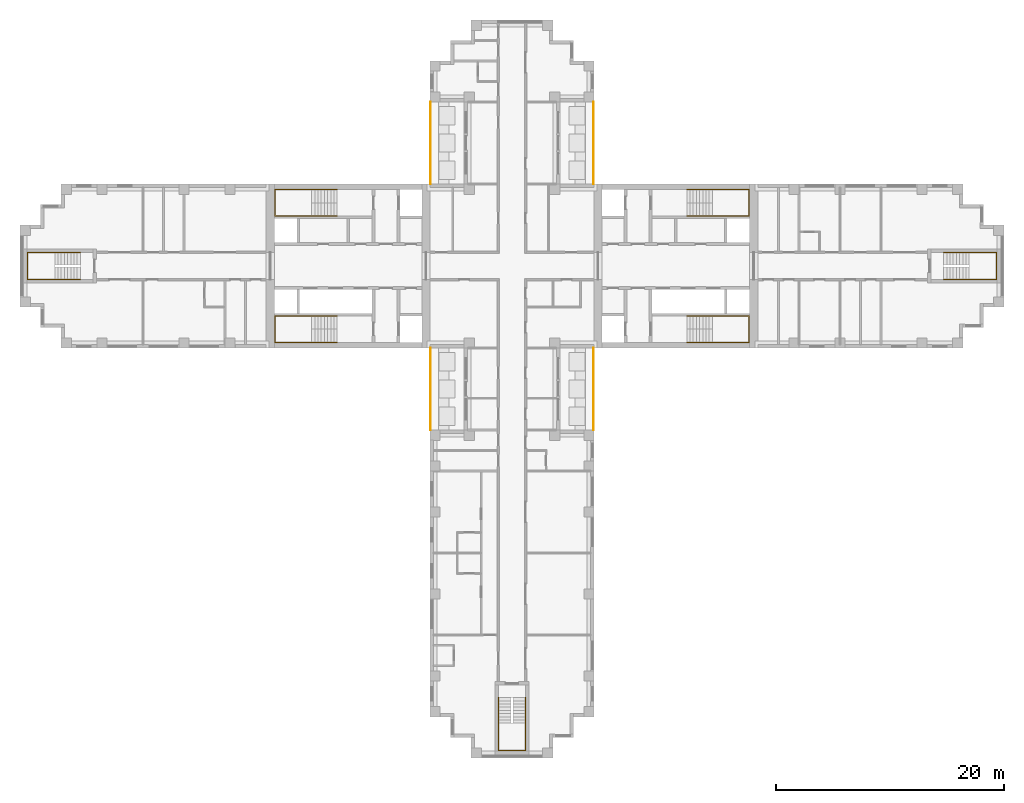
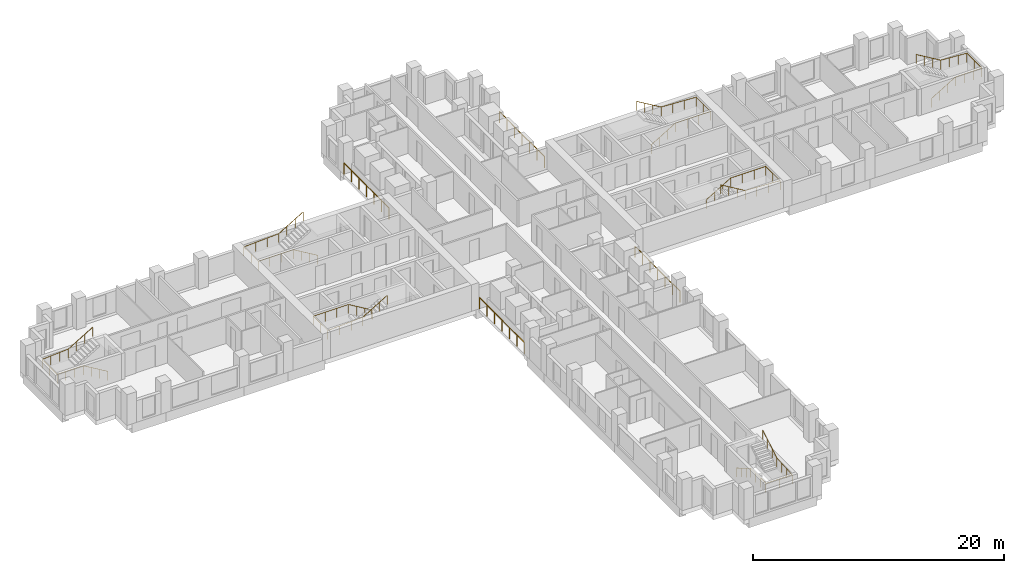
# One storey, part 12 of 13: 11 railings.
"""IFC4 building model written with IfcOpenShell, lengths in metres."""

from ifc_helpers import new_model, si_unit, direction, frame, origin, origin_2d, place, context, subcontext, project, spatial, circle, extrude, material, type_object, element, save


model = new_model("IFC4")

# Units and contexts
model_context = context("Model", 3, precision=1e-05, world=origin(), true_north=direction((0.0, 1.0)))
body_context = subcontext(model_context, "Body", "Model", "MODEL_VIEW")
ifc_project = project(units=[si_unit("LENGTHUNIT", "METRE"), si_unit("AREAUNIT", "SQUARE_METRE"), si_unit("VOLUMEUNIT", "CUBIC_METRE"), si_unit("PLANEANGLEUNIT", "RADIAN"), si_unit("MASSUNIT", "GRAM", prefix="KILO")], contexts=[model_context])

# Site, building, storey
site_placement = place(None, origin())
site = spatial("IfcSite", under=ifc_project, at=site_placement, CompositionType="ELEMENT")
building_placement = place(site_placement, origin())
building = spatial("IfcBuilding", under=site, at=building_placement, Name="Fustian Cross Tower", CompositionType="ELEMENT")
storey_placement = place(building_placement, frame((0.0, 0.0, 81.89990234375)))
storey = spatial("IfcBuildingStorey", under=building, at=storey_placement, Name="L25", CompositionType="ELEMENT", Elevation=81.89990234375)

# Railings
ifc_material_1 = material(Name="Stainless steel and glass", Category="steel")
railing_type_1 = type_object("IfcRailingType", Name="GR1 BALCONY GUARD 1100", PredefinedType="GUARDRAIL", material=ifc_material_1)
for number, where, name in (
    (1, (7.14990234375, 7.199951171875, 0.0), "Balcony guard"),
    (2, (-7.14990234375, 7.199951171875, 0.0), "Balcony guard"),
    (3, (7.14990234375, -14.39990234375, 0.0), "Balcony guard"),
    (4, (-7.14990234375, -14.39990234375, 0.0), "Balcony guard"),
):
    element("IfcRailing", number, at=place(storey_placement, frame(where)), inside=storey, type_object=railing_type_1, Name=name, PredefinedType="GUARDRAIL", context=body_context, shape_type="SweptSolid", body=[
        extrude(circle(Radius=0.02392578125, at=origin_2d()), frame((0.0, 0.0, 1.076171875), z_axis=(0.0, 1.0, 0.0), x_axis=(-1.0, 0.0, 0.0)), (0.0, 0.0, 1.0), 7.199951171875),
        extrude(circle(Radius=0.02099609375, at=origin_2d()), origin(), (0.0, 0.0, 1.0), 1.052001953125),
        extrude(circle(Radius=0.02099609375, at=origin_2d()), frame((0.0, 1.199951171875, 0.0)), (0.0, 0.0, 1.0), 1.052001953125),
        extrude(circle(Radius=0.02099609375, at=origin_2d()), frame((0.0, 2.39990234375, 0.0)), (0.0, 0.0, 1.0), 1.052001953125),
        extrude(circle(Radius=0.02099609375, at=origin_2d()), frame((0.0, 3.60009765625, 0.0)), (0.0, 0.0, 1.0), 1.052001953125),
        extrude(circle(Radius=0.02099609375, at=origin_2d()), frame((0.0, 4.800048828125, 0.0)), (0.0, 0.0, 1.0), 1.052001953125),
        extrude(circle(Radius=0.02099609375, at=origin_2d()), frame((0.0, 6.0, 0.0)), (0.0, 0.0, 1.0), 1.052001953125),
        extrude(circle(Radius=0.02099609375, at=origin_2d()), frame((0.0, 7.199951171875, 0.0)), (0.0, 0.0, 1.0), 1.052001953125),
    ])
ifc_material_2 = material(Name="Stainless steel", Category="steel")
railing_type_2 = type_object("IfcRailingType", Name="STAIR HANDRAIL", PredefinedType="HANDRAIL", material=ifc_material_2)
railing_1_placement = place(storey_placement, frame((15.35009765625, 4.39990234375, 0.166748046875)))
element("IfcRailing", 5, at=railing_1_placement, inside=storey, type_object=railing_type_2, Name="Stair ST1 handrail 1", PredefinedType="HANDRAIL", context=body_context, shape_type="SweptSolid", body=[
    extrude(circle(Radius=0.02490234375, at=origin_2d()), frame((0.0, 0.0, 0.875), z_axis=(0.859305625298, 0.0, 0.511462454469), x_axis=(0.0, 1.0, 0.0)), (0.0, 0.0, 1.0), 2.606689453125),
    extrude(circle(Radius=0.02490234375, at=origin_2d()), frame((2.239990234375, 0.0, 2.2080078125), z_axis=(1.0, 0.0, 0.0), x_axis=(0.0, 1.0, 0.0)), (0.0, 0.0, 1.0), 3.219970703125),
    extrude(circle(Radius=0.02490234375, at=origin_2d()), frame((5.4599609375, 0.0, 2.2080078125), z_axis=(0.0, 1.0, 0.0), x_axis=(-1.0, 0.0, 0.0)), (0.0, 0.0, 1.0), 2.300048828125),
    extrude(circle(Radius=0.02490234375, at=origin_2d()), frame((5.4599609375, 2.300048828125, 2.2080078125), z_axis=(-0.998661817807, 0.0, 0.051716280352), x_axis=(0.0, -1.0, 0.0)), (0.0, 0.0, 1.0), 3.224365234375),
    extrude(circle(Radius=0.02490234375, at=origin_2d()), frame((2.239990234375, 2.300048828125, 2.375), z_axis=(-0.859305625298, 0.0, 0.511462454469), x_axis=(0.0, -1.0, 0.0)), (0.0, 0.0, 1.0), 2.606689453125),
    extrude(circle(Radius=0.02001953125, at=origin_2d()), origin(), (0.0, 0.0, 1.0), 0.849853515625),
    extrude(circle(Radius=0.02001953125, at=origin_2d()), frame((0.74658203125, 0.0, 0.4443359375)), (0.0, 0.0, 1.0), 0.849853515625),
    extrude(circle(Radius=0.02001953125, at=origin_2d()), frame((1.493408203125, 0.0, 0.888916015625)), (0.0, 0.0, 1.0), 0.849853515625),
    extrude(circle(Radius=0.02001953125, at=origin_2d()), frame((2.239990234375, 0.0, 1.333251953125)), (0.0, 0.0, 1.0), 0.849853515625),
    extrude(circle(Radius=0.02001953125, at=origin_2d()), frame((3.313232421875, 0.0, 1.333251953125)), (0.0, 0.0, 1.0), 0.849853515625),
    extrude(circle(Radius=0.02001953125, at=origin_2d()), frame((4.38671875, 0.0, 1.333251953125)), (0.0, 0.0, 1.0), 0.849853515625),
    extrude(circle(Radius=0.02001953125, at=origin_2d()), frame((5.4599609375, 0.0, 1.333251953125)), (0.0, 0.0, 1.0), 0.849853515625),
    extrude(circle(Radius=0.02001953125, at=origin_2d()), frame((5.4599609375, 1.14990234375, 1.333251953125)), (0.0, 0.0, 1.0), 0.849853515625),
    extrude(circle(Radius=0.02001953125, at=origin_2d()), frame((5.4599609375, 2.300048828125, 1.333251953125)), (0.0, 0.0, 1.0), 0.849853515625),
    extrude(circle(Radius=0.02001953125, at=origin_2d()), frame((4.38671875, 2.300048828125, 1.388916015625)), (0.0, 0.0, 1.0), 0.849853515625),
    extrude(circle(Radius=0.02001953125, at=origin_2d()), frame((3.313232421875, 2.300048828125, 1.4443359375)), (0.0, 0.0, 1.0), 0.849853515625),
    extrude(circle(Radius=0.02001953125, at=origin_2d()), frame((2.239990234375, 2.300048828125, 1.5)), (0.0, 0.0, 1.0), 0.849853515625),
    extrude(circle(Radius=0.02001953125, at=origin_2d()), frame((1.493408203125, 2.300048828125, 1.9443359375)), (0.0, 0.0, 1.0), 0.849853515625),
    extrude(circle(Radius=0.02001953125, at=origin_2d()), frame((0.74658203125, 2.300048828125, 2.388916015625)), (0.0, 0.0, 1.0), 0.849853515625),
    extrude(circle(Radius=0.02001953125, at=origin_2d()), frame((0.0, 2.300048828125, 2.833251953125)), (0.0, 0.0, 1.0), 0.849853515625),
])
railing_2_placement = place(storey_placement, frame((15.35009765625, -4.39990234375, 0.166748046875)))
element("IfcRailing", 6, at=railing_2_placement, inside=storey, type_object=railing_type_2, Name="Stair ST2 handrail 1", PredefinedType="HANDRAIL", context=body_context, shape_type="SweptSolid", body=[
    extrude(circle(Radius=0.02490234375, at=origin_2d()), frame((0.0, 0.0, 0.875), z_axis=(0.859305625298, 0.0, 0.511462454469), x_axis=(0.0, 1.0, 0.0)), (0.0, 0.0, 1.0), 2.606689453125),
    extrude(circle(Radius=0.02490234375, at=origin_2d()), frame((2.239990234375, 0.0, 2.2080078125), z_axis=(1.0, 0.0, 0.0), x_axis=(0.0, 1.0, 0.0)), (0.0, 0.0, 1.0), 3.219970703125),
    extrude(circle(Radius=0.02490234375, at=origin_2d()), frame((5.4599609375, 0.0, 2.2080078125), z_axis=(0.0, -1.0, 0.0), x_axis=(1.0, 0.0, 0.0)), (0.0, 0.0, 1.0), 2.300048828125),
    extrude(circle(Radius=0.02490234375, at=origin_2d()), frame((5.4599609375, -2.300048828125, 2.2080078125), z_axis=(-0.998661817807, 0.0, 0.051716280352), x_axis=(0.0, -1.0, 0.0)), (0.0, 0.0, 1.0), 3.224365234375),
    extrude(circle(Radius=0.02490234375, at=origin_2d()), frame((2.239990234375, -2.300048828125, 2.375), z_axis=(-0.859305625298, 0.0, 0.511462454469), x_axis=(0.0, -1.0, 0.0)), (0.0, 0.0, 1.0), 2.606689453125),
    extrude(circle(Radius=0.02001953125, at=origin_2d()), origin(), (0.0, 0.0, 1.0), 0.849853515625),
    extrude(circle(Radius=0.02001953125, at=origin_2d()), frame((0.74658203125, 0.0, 0.4443359375)), (0.0, 0.0, 1.0), 0.849853515625),
    extrude(circle(Radius=0.02001953125, at=origin_2d()), frame((1.493408203125, 0.0, 0.888916015625)), (0.0, 0.0, 1.0), 0.849853515625),
    extrude(circle(Radius=0.02001953125, at=origin_2d()), frame((2.239990234375, 0.0, 1.333251953125)), (0.0, 0.0, 1.0), 0.849853515625),
    extrude(circle(Radius=0.02001953125, at=origin_2d()), frame((3.313232421875, 0.0, 1.333251953125)), (0.0, 0.0, 1.0), 0.849853515625),
    extrude(circle(Radius=0.02001953125, at=origin_2d()), frame((4.38671875, 0.0, 1.333251953125)), (0.0, 0.0, 1.0), 0.849853515625),
    extrude(circle(Radius=0.02001953125, at=origin_2d()), frame((5.4599609375, 0.0, 1.333251953125)), (0.0, 0.0, 1.0), 0.849853515625),
    extrude(circle(Radius=0.02001953125, at=origin_2d()), frame((5.4599609375, -1.14990234375, 1.333251953125)), (0.0, 0.0, 1.0), 0.849853515625),
    extrude(circle(Radius=0.02001953125, at=origin_2d()), frame((5.4599609375, -2.300048828125, 1.333251953125)), (0.0, 0.0, 1.0), 0.849853515625),
    extrude(circle(Radius=0.02001953125, at=origin_2d()), frame((4.38671875, -2.300048828125, 1.388916015625)), (0.0, 0.0, 1.0), 0.849853515625),
    extrude(circle(Radius=0.02001953125, at=origin_2d()), frame((3.313232421875, -2.300048828125, 1.4443359375)), (0.0, 0.0, 1.0), 0.849853515625),
    extrude(circle(Radius=0.02001953125, at=origin_2d()), frame((2.239990234375, -2.300048828125, 1.5)), (0.0, 0.0, 1.0), 0.849853515625),
    extrude(circle(Radius=0.02001953125, at=origin_2d()), frame((1.493408203125, -2.300048828125, 1.9443359375)), (0.0, 0.0, 1.0), 0.849853515625),
    extrude(circle(Radius=0.02001953125, at=origin_2d()), frame((0.74658203125, -2.300048828125, 2.388916015625)), (0.0, 0.0, 1.0), 0.849853515625),
    extrude(circle(Radius=0.02001953125, at=origin_2d()), frame((0.0, -2.300048828125, 2.833251953125)), (0.0, 0.0, 1.0), 0.849853515625),
])
railing_3_placement = place(storey_placement, frame((-15.35009765625, 4.39990234375, 0.166748046875)))
element("IfcRailing", 7, at=railing_3_placement, inside=storey, type_object=railing_type_2, Name="Stair ST3 handrail 1", PredefinedType="HANDRAIL", context=body_context, shape_type="SweptSolid", body=[
    extrude(circle(Radius=0.02490234375, at=origin_2d()), frame((0.0, 0.0, 0.875), z_axis=(-0.859305625298, 0.0, 0.511462454469), x_axis=(0.0, -1.0, 0.0)), (0.0, 0.0, 1.0), 2.606689453125),
    extrude(circle(Radius=0.02490234375, at=origin_2d()), frame((-2.239990234375, 0.0, 2.2080078125), z_axis=(-1.0, 0.0, 0.0), x_axis=(0.0, -1.0, 0.0)), (0.0, 0.0, 1.0), 3.219970703125),
    extrude(circle(Radius=0.02490234375, at=origin_2d()), frame((-5.4599609375, 0.0, 2.2080078125), z_axis=(0.0, 1.0, 0.0), x_axis=(-1.0, 0.0, 0.0)), (0.0, 0.0, 1.0), 2.300048828125),
    extrude(circle(Radius=0.02490234375, at=origin_2d()), frame((-5.4599609375, 2.300048828125, 2.2080078125), z_axis=(0.998661817807, 0.0, 0.051716280352), x_axis=(0.0, 1.0, 0.0)), (0.0, 0.0, 1.0), 3.224365234375),
    extrude(circle(Radius=0.02490234375, at=origin_2d()), frame((-2.239990234375, 2.300048828125, 2.375), z_axis=(0.859305625298, 0.0, 0.511462454469), x_axis=(0.0, 1.0, 0.0)), (0.0, 0.0, 1.0), 2.606689453125),
    extrude(circle(Radius=0.02001953125, at=origin_2d()), origin(), (0.0, 0.0, 1.0), 0.849853515625),
    extrude(circle(Radius=0.02001953125, at=origin_2d()), frame((-0.74658203125, 0.0, 0.4443359375)), (0.0, 0.0, 1.0), 0.849853515625),
    extrude(circle(Radius=0.02001953125, at=origin_2d()), frame((-1.493408203125, 0.0, 0.888916015625)), (0.0, 0.0, 1.0), 0.849853515625),
    extrude(circle(Radius=0.02001953125, at=origin_2d()), frame((-2.239990234375, 0.0, 1.333251953125)), (0.0, 0.0, 1.0), 0.849853515625),
    extrude(circle(Radius=0.02001953125, at=origin_2d()), frame((-3.313232421875, 0.0, 1.333251953125)), (0.0, 0.0, 1.0), 0.849853515625),
    extrude(circle(Radius=0.02001953125, at=origin_2d()), frame((-4.38671875, 0.0, 1.333251953125)), (0.0, 0.0, 1.0), 0.849853515625),
    extrude(circle(Radius=0.02001953125, at=origin_2d()), frame((-5.4599609375, 0.0, 1.333251953125)), (0.0, 0.0, 1.0), 0.849853515625),
    extrude(circle(Radius=0.02001953125, at=origin_2d()), frame((-5.4599609375, 1.14990234375, 1.333251953125)), (0.0, 0.0, 1.0), 0.849853515625),
    extrude(circle(Radius=0.02001953125, at=origin_2d()), frame((-5.4599609375, 2.300048828125, 1.333251953125)), (0.0, 0.0, 1.0), 0.849853515625),
    extrude(circle(Radius=0.02001953125, at=origin_2d()), frame((-4.38671875, 2.300048828125, 1.388916015625)), (0.0, 0.0, 1.0), 0.849853515625),
    extrude(circle(Radius=0.02001953125, at=origin_2d()), frame((-3.313232421875, 2.300048828125, 1.4443359375)), (0.0, 0.0, 1.0), 0.849853515625),
    extrude(circle(Radius=0.02001953125, at=origin_2d()), frame((-2.239990234375, 2.300048828125, 1.5)), (0.0, 0.0, 1.0), 0.849853515625),
    extrude(circle(Radius=0.02001953125, at=origin_2d()), frame((-1.493408203125, 2.300048828125, 1.9443359375)), (0.0, 0.0, 1.0), 0.849853515625),
    extrude(circle(Radius=0.02001953125, at=origin_2d()), frame((-0.74658203125, 2.300048828125, 2.388916015625)), (0.0, 0.0, 1.0), 0.849853515625),
    extrude(circle(Radius=0.02001953125, at=origin_2d()), frame((0.0, 2.300048828125, 2.833251953125)), (0.0, 0.0, 1.0), 0.849853515625),
])
railing_4_placement = place(storey_placement, frame((-15.35009765625, -4.39990234375, 0.166748046875)))
element("IfcRailing", 8, at=railing_4_placement, inside=storey, type_object=railing_type_2, Name="Stair ST4 handrail 1", PredefinedType="HANDRAIL", context=body_context, shape_type="SweptSolid", body=[
    extrude(circle(Radius=0.02490234375, at=origin_2d()), frame((0.0, 0.0, 0.875), z_axis=(-0.859305625298, 0.0, 0.511462454469), x_axis=(0.0, -1.0, 0.0)), (0.0, 0.0, 1.0), 2.606689453125),
    extrude(circle(Radius=0.02490234375, at=origin_2d()), frame((-2.239990234375, 0.0, 2.2080078125), z_axis=(-1.0, 0.0, 0.0), x_axis=(0.0, -1.0, 0.0)), (0.0, 0.0, 1.0), 3.219970703125),
    extrude(circle(Radius=0.02490234375, at=origin_2d()), frame((-5.4599609375, 0.0, 2.2080078125), z_axis=(0.0, -1.0, 0.0), x_axis=(1.0, 0.0, 0.0)), (0.0, 0.0, 1.0), 2.300048828125),
    extrude(circle(Radius=0.02490234375, at=origin_2d()), frame((-5.4599609375, -2.300048828125, 2.2080078125), z_axis=(0.998661817807, 0.0, 0.051716280352), x_axis=(0.0, 1.0, 0.0)), (0.0, 0.0, 1.0), 3.224365234375),
    extrude(circle(Radius=0.02490234375, at=origin_2d()), frame((-2.239990234375, -2.300048828125, 2.375), z_axis=(0.859305625298, 0.0, 0.511462454469), x_axis=(0.0, 1.0, 0.0)), (0.0, 0.0, 1.0), 2.606689453125),
    extrude(circle(Radius=0.02001953125, at=origin_2d()), origin(), (0.0, 0.0, 1.0), 0.849853515625),
    extrude(circle(Radius=0.02001953125, at=origin_2d()), frame((-0.74658203125, 0.0, 0.4443359375)), (0.0, 0.0, 1.0), 0.849853515625),
    extrude(circle(Radius=0.02001953125, at=origin_2d()), frame((-1.493408203125, 0.0, 0.888916015625)), (0.0, 0.0, 1.0), 0.849853515625),
    extrude(circle(Radius=0.02001953125, at=origin_2d()), frame((-2.239990234375, 0.0, 1.333251953125)), (0.0, 0.0, 1.0), 0.849853515625),
    extrude(circle(Radius=0.02001953125, at=origin_2d()), frame((-3.313232421875, 0.0, 1.333251953125)), (0.0, 0.0, 1.0), 0.849853515625),
    extrude(circle(Radius=0.02001953125, at=origin_2d()), frame((-4.38671875, 0.0, 1.333251953125)), (0.0, 0.0, 1.0), 0.849853515625),
    extrude(circle(Radius=0.02001953125, at=origin_2d()), frame((-5.4599609375, 0.0, 1.333251953125)), (0.0, 0.0, 1.0), 0.849853515625),
    extrude(circle(Radius=0.02001953125, at=origin_2d()), frame((-5.4599609375, -1.14990234375, 1.333251953125)), (0.0, 0.0, 1.0), 0.849853515625),
    extrude(circle(Radius=0.02001953125, at=origin_2d()), frame((-5.4599609375, -2.300048828125, 1.333251953125)), (0.0, 0.0, 1.0), 0.849853515625),
    extrude(circle(Radius=0.02001953125, at=origin_2d()), frame((-4.38671875, -2.300048828125, 1.388916015625)), (0.0, 0.0, 1.0), 0.849853515625),
    extrude(circle(Radius=0.02001953125, at=origin_2d()), frame((-3.313232421875, -2.300048828125, 1.4443359375)), (0.0, 0.0, 1.0), 0.849853515625),
    extrude(circle(Radius=0.02001953125, at=origin_2d()), frame((-2.239990234375, -2.300048828125, 1.5)), (0.0, 0.0, 1.0), 0.849853515625),
    extrude(circle(Radius=0.02001953125, at=origin_2d()), frame((-1.493408203125, -2.300048828125, 1.9443359375)), (0.0, 0.0, 1.0), 0.849853515625),
    extrude(circle(Radius=0.02001953125, at=origin_2d()), frame((-0.74658203125, -2.300048828125, 2.388916015625)), (0.0, 0.0, 1.0), 0.849853515625),
    extrude(circle(Radius=0.02001953125, at=origin_2d()), frame((0.0, -2.300048828125, 2.833251953125)), (0.0, 0.0, 1.0), 0.849853515625),
])
railing_5_placement = place(storey_placement, frame((-1.199951171875, -37.89990234375, 0.166748046875)))
element("IfcRailing", 9, at=railing_5_placement, inside=storey, type_object=railing_type_2, Name="Stair ST6 handrail 1", PredefinedType="HANDRAIL", context=body_context, shape_type="SweptSolid", body=[
    extrude(circle(Radius=0.02490234375, at=origin_2d()), frame((0.0, 0.0, 0.875), z_axis=(0.0, -0.859305625298, 0.511462454469), x_axis=(1.0, 0.0, 0.0)), (0.0, 0.0, 1.0), 2.606689453125),
    extrude(circle(Radius=0.02490234375, at=origin_2d()), frame((0.0, -2.239990234375, 2.2080078125), z_axis=(0.0, -1.0, 0.0), x_axis=(1.0, 0.0, 0.0)), (0.0, 0.0, 1.0), 2.420166015625),
    extrude(circle(Radius=0.02490234375, at=origin_2d()), frame((0.0, -4.66015625, 2.2080078125), z_axis=(1.0, 0.0, 0.0), x_axis=(0.0, 1.0, 0.0)), (0.0, 0.0, 1.0), 2.39990234375),
    extrude(circle(Radius=0.02490234375, at=origin_2d()), frame((2.39990234375, -4.66015625, 2.2080078125), z_axis=(0.0, 0.997634852044, 0.068736467663), x_axis=(-1.0, 0.0, 0.0)), (0.0, 0.0, 1.0), 2.426025390625),
    extrude(circle(Radius=0.02490234375, at=origin_2d()), frame((2.39990234375, -2.239990234375, 2.375), z_axis=(0.0, 0.859305625298, 0.511462454469), x_axis=(-1.0, 0.0, 0.0)), (0.0, 0.0, 1.0), 2.606689453125),
    extrude(circle(Radius=0.02001953125, at=origin_2d()), origin(), (0.0, 0.0, 1.0), 0.849853515625),
    extrude(circle(Radius=0.02001953125, at=origin_2d()), frame((0.0, -0.74658203125, 0.4443359375)), (0.0, 0.0, 1.0), 0.849853515625),
    extrude(circle(Radius=0.02001953125, at=origin_2d()), frame((0.0, -1.493408203125, 0.888916015625)), (0.0, 0.0, 1.0), 0.849853515625),
    extrude(circle(Radius=0.02001953125, at=origin_2d()), frame((0.0, -2.239990234375, 1.333251953125)), (0.0, 0.0, 1.0), 0.849853515625),
    extrude(circle(Radius=0.02001953125, at=origin_2d()), frame((0.0, -3.046630859375, 1.333251953125)), (0.0, 0.0, 1.0), 0.849853515625),
    extrude(circle(Radius=0.02001953125, at=origin_2d()), frame((0.0, -3.853515625, 1.333251953125)), (0.0, 0.0, 1.0), 0.849853515625),
    extrude(circle(Radius=0.02001953125, at=origin_2d()), frame((0.0, -4.66015625, 1.333251953125)), (0.0, 0.0, 1.0), 0.849853515625),
    extrude(circle(Radius=0.02001953125, at=origin_2d()), frame((1.199951171875, -4.66015625, 1.333251953125)), (0.0, 0.0, 1.0), 0.849853515625),
    extrude(circle(Radius=0.02001953125, at=origin_2d()), frame((2.39990234375, -4.66015625, 1.333251953125)), (0.0, 0.0, 1.0), 0.849853515625),
    extrude(circle(Radius=0.02001953125, at=origin_2d()), frame((2.39990234375, -3.853515625, 1.388916015625)), (0.0, 0.0, 1.0), 0.849853515625),
    extrude(circle(Radius=0.02001953125, at=origin_2d()), frame((2.39990234375, -3.046630859375, 1.4443359375)), (0.0, 0.0, 1.0), 0.849853515625),
    extrude(circle(Radius=0.02001953125, at=origin_2d()), frame((2.39990234375, -2.239990234375, 1.5)), (0.0, 0.0, 1.0), 0.849853515625),
    extrude(circle(Radius=0.02001953125, at=origin_2d()), frame((2.39990234375, -1.493408203125, 1.9443359375)), (0.0, 0.0, 1.0), 0.849853515625),
    extrude(circle(Radius=0.02001953125, at=origin_2d()), frame((2.39990234375, -0.74658203125, 2.388916015625)), (0.0, 0.0, 1.0), 0.849853515625),
    extrude(circle(Radius=0.02001953125, at=origin_2d()), frame((2.39990234375, 0.0, 2.833251953125)), (0.0, 0.0, 1.0), 0.849853515625),
])
railing_6_placement = place(storey_placement, frame((37.89990234375, -1.199951171875, 0.166748046875)))
element("IfcRailing", 10, at=railing_6_placement, inside=storey, type_object=railing_type_2, Name="Stair ST8 handrail 1", PredefinedType="HANDRAIL", context=body_context, shape_type="SweptSolid", body=[
    extrude(circle(Radius=0.02490234375, at=origin_2d()), frame((0.0, 0.0, 0.875), z_axis=(0.859305625298, 0.0, 0.511462454469), x_axis=(0.0, 1.0, 0.0)), (0.0, 0.0, 1.0), 2.606689453125),
    extrude(circle(Radius=0.02490234375, at=origin_2d()), frame((2.239990234375, 0.0, 2.2080078125), z_axis=(1.0, 0.0, 0.0), x_axis=(0.0, 1.0, 0.0)), (0.0, 0.0, 1.0), 2.420166015625),
    extrude(circle(Radius=0.02490234375, at=origin_2d()), frame((4.66015625, 0.0, 2.2080078125), z_axis=(0.0, 1.0, 0.0), x_axis=(-1.0, 0.0, 0.0)), (0.0, 0.0, 1.0), 2.39990234375),
    extrude(circle(Radius=0.02490234375, at=origin_2d()), frame((4.66015625, 2.39990234375, 2.2080078125), z_axis=(-0.997634852044, 0.0, 0.068736467663), x_axis=(0.0, -1.0, 0.0)), (0.0, 0.0, 1.0), 2.426025390625),
    extrude(circle(Radius=0.02490234375, at=origin_2d()), frame((2.239990234375, 2.39990234375, 2.375), z_axis=(-0.859305625298, 0.0, 0.511462454469), x_axis=(0.0, -1.0, 0.0)), (0.0, 0.0, 1.0), 2.606689453125),
    extrude(circle(Radius=0.02001953125, at=origin_2d()), origin(), (0.0, 0.0, 1.0), 0.849853515625),
    extrude(circle(Radius=0.02001953125, at=origin_2d()), frame((0.74658203125, 0.0, 0.4443359375)), (0.0, 0.0, 1.0), 0.849853515625),
    extrude(circle(Radius=0.02001953125, at=origin_2d()), frame((1.493408203125, 0.0, 0.888916015625)), (0.0, 0.0, 1.0), 0.849853515625),
    extrude(circle(Radius=0.02001953125, at=origin_2d()), frame((2.239990234375, 0.0, 1.333251953125)), (0.0, 0.0, 1.0), 0.849853515625),
    extrude(circle(Radius=0.02001953125, at=origin_2d()), frame((3.046630859375, 0.0, 1.333251953125)), (0.0, 0.0, 1.0), 0.849853515625),
    extrude(circle(Radius=0.02001953125, at=origin_2d()), frame((3.853515625, 0.0, 1.333251953125)), (0.0, 0.0, 1.0), 0.849853515625),
    extrude(circle(Radius=0.02001953125, at=origin_2d()), frame((4.66015625, 0.0, 1.333251953125)), (0.0, 0.0, 1.0), 0.849853515625),
    extrude(circle(Radius=0.02001953125, at=origin_2d()), frame((4.66015625, 1.199951171875, 1.333251953125)), (0.0, 0.0, 1.0), 0.849853515625),
    extrude(circle(Radius=0.02001953125, at=origin_2d()), frame((4.66015625, 2.39990234375, 1.333251953125)), (0.0, 0.0, 1.0), 0.849853515625),
    extrude(circle(Radius=0.02001953125, at=origin_2d()), frame((3.853515625, 2.39990234375, 1.388916015625)), (0.0, 0.0, 1.0), 0.849853515625),
    extrude(circle(Radius=0.02001953125, at=origin_2d()), frame((3.046630859375, 2.39990234375, 1.4443359375)), (0.0, 0.0, 1.0), 0.849853515625),
    extrude(circle(Radius=0.02001953125, at=origin_2d()), frame((2.239990234375, 2.39990234375, 1.5)), (0.0, 0.0, 1.0), 0.849853515625),
    extrude(circle(Radius=0.02001953125, at=origin_2d()), frame((1.493408203125, 2.39990234375, 1.9443359375)), (0.0, 0.0, 1.0), 0.849853515625),
    extrude(circle(Radius=0.02001953125, at=origin_2d()), frame((0.74658203125, 2.39990234375, 2.388916015625)), (0.0, 0.0, 1.0), 0.849853515625),
    extrude(circle(Radius=0.02001953125, at=origin_2d()), frame((0.0, 2.39990234375, 2.833251953125)), (0.0, 0.0, 1.0), 0.849853515625),
])
railing_7_placement = place(storey_placement, frame((-37.89990234375, -1.199951171875, 0.166748046875)))
element("IfcRailing", 11, at=railing_7_placement, inside=storey, type_object=railing_type_2, Name="Stair ST9 handrail 1", PredefinedType="HANDRAIL", context=body_context, shape_type="SweptSolid", body=[
    extrude(circle(Radius=0.02490234375, at=origin_2d()), frame((0.0, 0.0, 0.875), z_axis=(-0.859305625298, 0.0, 0.511462454469), x_axis=(0.0, -1.0, 0.0)), (0.0, 0.0, 1.0), 2.606689453125),
    extrude(circle(Radius=0.02490234375, at=origin_2d()), frame((-2.239990234375, 0.0, 2.2080078125), z_axis=(-1.0, 0.0, 0.0), x_axis=(0.0, -1.0, 0.0)), (0.0, 0.0, 1.0), 2.420166015625),
    extrude(circle(Radius=0.02490234375, at=origin_2d()), frame((-4.66015625, 0.0, 2.2080078125), z_axis=(0.0, 1.0, 0.0), x_axis=(-1.0, 0.0, 0.0)), (0.0, 0.0, 1.0), 2.39990234375),
    extrude(circle(Radius=0.02490234375, at=origin_2d()), frame((-4.66015625, 2.39990234375, 2.2080078125), z_axis=(0.997634852044, 0.0, 0.068736467663), x_axis=(0.0, 1.0, 0.0)), (0.0, 0.0, 1.0), 2.426025390625),
    extrude(circle(Radius=0.02490234375, at=origin_2d()), frame((-2.239990234375, 2.39990234375, 2.375), z_axis=(0.859305625298, 0.0, 0.511462454469), x_axis=(0.0, 1.0, 0.0)), (0.0, 0.0, 1.0), 2.606689453125),
    extrude(circle(Radius=0.02001953125, at=origin_2d()), origin(), (0.0, 0.0, 1.0), 0.849853515625),
    extrude(circle(Radius=0.02001953125, at=origin_2d()), frame((-0.74658203125, 0.0, 0.4443359375)), (0.0, 0.0, 1.0), 0.849853515625),
    extrude(circle(Radius=0.02001953125, at=origin_2d()), frame((-1.493408203125, 0.0, 0.888916015625)), (0.0, 0.0, 1.0), 0.849853515625),
    extrude(circle(Radius=0.02001953125, at=origin_2d()), frame((-2.239990234375, 0.0, 1.333251953125)), (0.0, 0.0, 1.0), 0.849853515625),
    extrude(circle(Radius=0.02001953125, at=origin_2d()), frame((-3.046630859375, 0.0, 1.333251953125)), (0.0, 0.0, 1.0), 0.849853515625),
    extrude(circle(Radius=0.02001953125, at=origin_2d()), frame((-3.853515625, 0.0, 1.333251953125)), (0.0, 0.0, 1.0), 0.849853515625),
    extrude(circle(Radius=0.02001953125, at=origin_2d()), frame((-4.66015625, 0.0, 1.333251953125)), (0.0, 0.0, 1.0), 0.849853515625),
    extrude(circle(Radius=0.02001953125, at=origin_2d()), frame((-4.66015625, 1.199951171875, 1.333251953125)), (0.0, 0.0, 1.0), 0.849853515625),
    extrude(circle(Radius=0.02001953125, at=origin_2d()), frame((-4.66015625, 2.39990234375, 1.333251953125)), (0.0, 0.0, 1.0), 0.849853515625),
    extrude(circle(Radius=0.02001953125, at=origin_2d()), frame((-3.853515625, 2.39990234375, 1.388916015625)), (0.0, 0.0, 1.0), 0.849853515625),
    extrude(circle(Radius=0.02001953125, at=origin_2d()), frame((-3.046630859375, 2.39990234375, 1.4443359375)), (0.0, 0.0, 1.0), 0.849853515625),
    extrude(circle(Radius=0.02001953125, at=origin_2d()), frame((-2.239990234375, 2.39990234375, 1.5)), (0.0, 0.0, 1.0), 0.849853515625),
    extrude(circle(Radius=0.02001953125, at=origin_2d()), frame((-1.493408203125, 2.39990234375, 1.9443359375)), (0.0, 0.0, 1.0), 0.849853515625),
    extrude(circle(Radius=0.02001953125, at=origin_2d()), frame((-0.74658203125, 2.39990234375, 2.388916015625)), (0.0, 0.0, 1.0), 0.849853515625),
    extrude(circle(Radius=0.02001953125, at=origin_2d()), frame((0.0, 2.39990234375, 2.833251953125)), (0.0, 0.0, 1.0), 0.849853515625),
])

save(model, "model.ifc")
